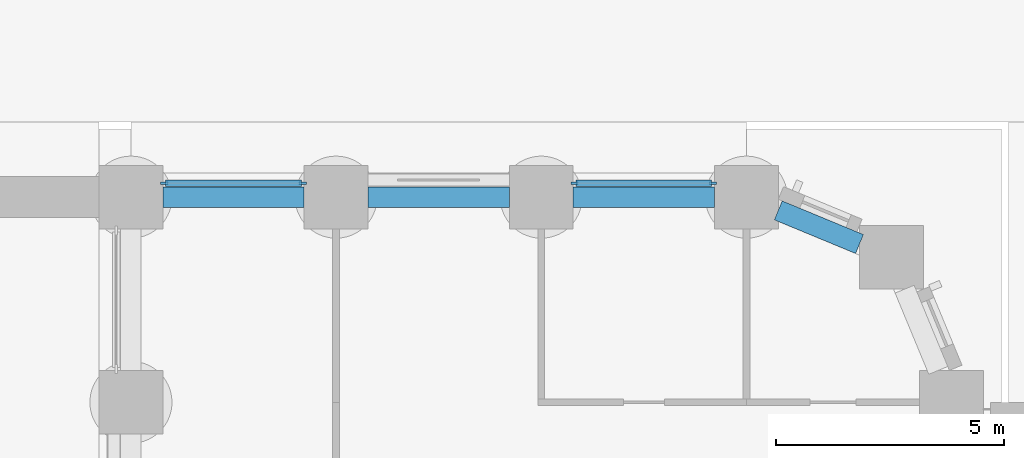
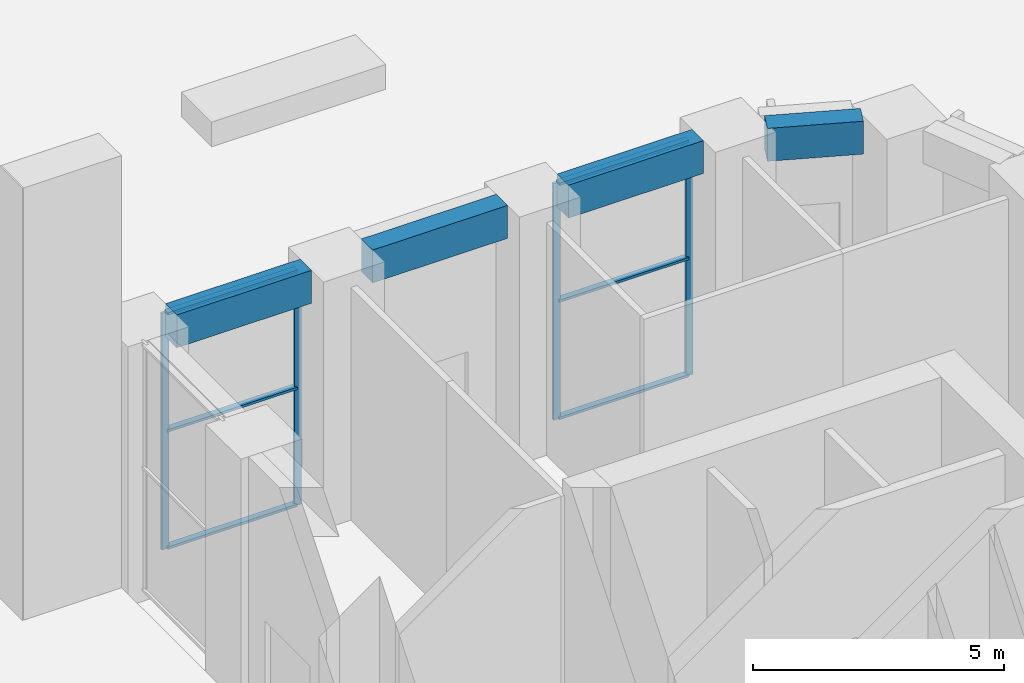
# One storey, part 8 of 31: 10 members, 4 beams, 2 elements without a shape of their own.
"""IFC4 building model written with IfcOpenShell, lengths in metres."""

from ifc_helpers import new_model, si_unit, direction, frame, origin, origin_2d, place, context, subcontext, project, spatial, rectangle, extrude, material, material_profile, profile_set, type_object, element, aggregate, save


model = new_model("IFC4")

# Units and contexts
model_context = context("Model", 3, precision=1e-05, world=origin(), true_north=direction((0.0, 1.0)))
body_context = subcontext(model_context, "Body", "Model", "MODEL_VIEW")
ifc_project = project(units=[si_unit("LENGTHUNIT", "METRE"), si_unit("AREAUNIT", "SQUARE_METRE"), si_unit("VOLUMEUNIT", "CUBIC_METRE"), si_unit("PLANEANGLEUNIT", "RADIAN"), si_unit("MASSUNIT", "GRAM", prefix="KILO")], contexts=[model_context])

# Site, building, storey
site_placement = place(None, origin())
site = spatial("IfcSite", under=ifc_project, at=site_placement, CompositionType="ELEMENT")
building_placement = place(site_placement, origin())
building = spatial("IfcBuilding", under=site, at=building_placement, Name="Girih Gate Residences", CompositionType="ELEMENT")
storey_placement = place(building_placement, origin())
storey = spatial("IfcBuildingStorey", under=building, at=storey_placement, Name="L00", CompositionType="ELEMENT", Elevation=0.0)

# Curtain wall, members
ifc_material_1 = material(Name="Aluminium curtain wall frame", Category="aluminium")
curtain_wall_type = type_object("IfcCurtainWallType", Name="Curtain wall CW-6 street frontage glazing", PredefinedType="NOTDEFINED", material=ifc_material_1)
curtain_wall_1_placement = place(storey_placement, origin())
curtain_wall_1 = element("IfcCurtainWall", 1, at=curtain_wall_1_placement, inside=storey, type_object=curtain_wall_type, Name="CW-6 Street frontage glazing N0450_0495.0", PredefinedType="NOTDEFINED")
ifc_material_profile_1 = material_profile(ifc_material_1, rectangle(XDim=0.06005859375, YDim=0.159912109375, at=origin_2d()))
ifc_profile_set_1 = profile_set([ifc_material_profile_1], Name="Aluminium curtain wall frame")
member_type_1 = type_object("IfcMemberType", Name="Curtain wall mullion 60x160", PredefinedType="MULLION", material=ifc_profile_set_1)
member_1_placement = place(storey_placement, frame((44.27001953125, 49.804931640625, 0.0), z_axis=(0.0, 0.0, 1.0), x_axis=(0.0, -1.0, 0.0)))
member_1 = element("IfcMember", 2, at=member_1_placement, type_object=member_type_1, Name="CW-6 mullion 1", PredefinedType="MULLION", context=body_context, shape_type="SweptSolid", body=[
    extrude(rectangle(XDim=0.06005859375, YDim=0.159912109375, at=origin_2d()), origin(), (0.0, 0.0, 1.0), 5.75),
])
member_2_placement = place(storey_placement, frame((41.22998046875, 49.804931640625, 0.0), z_axis=(0.0, 0.0, 1.0), x_axis=(0.0, -1.0, 0.0)))
member_2 = element("IfcMember", 3, at=member_2_placement, type_object=member_type_1, Name="CW-6 mullion 2", PredefinedType="MULLION", context=body_context, shape_type="SweptSolid", body=[
    extrude(rectangle(XDim=0.06005859375, YDim=0.159912109375, at=origin_2d()), origin(), (0.0, 0.0, 1.0), 5.75),
])

curtain_wall_2_placement = place(storey_placement, origin())
curtain_wall_2 = element("IfcCurtainWall", 4, at=curtain_wall_2_placement, inside=storey, type_object=curtain_wall_type, Name="CW-6 Street frontage glazing N0450_0495.2", PredefinedType="NOTDEFINED")
member_3_placement = place(storey_placement, frame((35.27001953125, 49.804931640625, 0.0), z_axis=(0.0, 0.0, 1.0), x_axis=(0.0, -1.0, 0.0)))
member_3 = element("IfcMember", 5, at=member_3_placement, type_object=member_type_1, Name="CW-6 mullion 1", PredefinedType="MULLION", context=body_context, shape_type="SweptSolid", body=[
    extrude(rectangle(XDim=0.06005859375, YDim=0.159912109375, at=origin_2d()), origin(), (0.0, 0.0, 1.0), 5.75),
])
member_4_placement = place(storey_placement, frame((32.22998046875, 49.804931640625, 0.0), z_axis=(0.0, 0.0, 1.0), x_axis=(0.0, -1.0, 0.0)))
member_4 = element("IfcMember", 6, at=member_4_placement, type_object=member_type_1, Name="CW-6 mullion 2", PredefinedType="MULLION", context=body_context, shape_type="SweptSolid", body=[
    extrude(rectangle(XDim=0.06005859375, YDim=0.159912109375, at=origin_2d()), origin(), (0.0, 0.0, 1.0), 5.75),
])

# Member
ifc_material_profile_2 = material_profile(ifc_material_1, rectangle(XDim=0.139892578125, YDim=0.06005859375, at=origin_2d()))
ifc_profile_set_2 = profile_set([ifc_material_profile_2], Name="Aluminium curtain wall frame")
member_type_2 = type_object("IfcMemberType", Name="Curtain wall transom 60x140", PredefinedType="USERDEFINED", material=ifc_profile_set_2)
member_5_placement = place(storey_placement, frame((44.239990234375, 49.804931640625, 0.030029296875), z_axis=(-1.0, 0.0, 0.0), x_axis=(0.0, -1.0, 0.0)))
member_5 = element("IfcMember", 7, at=member_5_placement, type_object=member_type_2, Name="CW-6 transom 1.1", ObjectType="TRANSOM", PredefinedType="USERDEFINED", context=body_context, shape_type="SweptSolid", body=[
    extrude(rectangle(XDim=0.139892578125, YDim=0.06005859375, at=origin_2d()), origin(), (0.0, 0.0, 1.0), 2.97998046875),
])

member_6_placement = place(storey_placement, frame((44.239990234375, 49.804931640625, 2.875), z_axis=(-1.0, 0.0, 0.0), x_axis=(0.0, -1.0, 0.0)))
member_6 = element("IfcMember", 8, at=member_6_placement, type_object=member_type_2, Name="CW-6 transom 1.2", ObjectType="TRANSOM", PredefinedType="USERDEFINED", context=body_context, shape_type="SweptSolid", body=[
    extrude(rectangle(XDim=0.139892578125, YDim=0.06005859375, at=origin_2d()), origin(), (0.0, 0.0, 1.0), 2.97998046875),
])

member_7_placement = place(storey_placement, frame((44.239990234375, 49.804931640625, 5.719970703125), z_axis=(-1.0, 0.0, 0.0), x_axis=(0.0, -1.0, 0.0)))
member_7 = element("IfcMember", 9, at=member_7_placement, type_object=member_type_2, Name="CW-6 transom 1.3", ObjectType="TRANSOM", PredefinedType="USERDEFINED", context=body_context, shape_type="SweptSolid", body=[
    extrude(rectangle(XDim=0.139892578125, YDim=0.06005859375, at=origin_2d()), origin(), (0.0, 0.0, 1.0), 2.97998046875),
])

aggregate(curtain_wall_1, [member_1, member_2, member_5, member_6, member_7])

member_8_placement = place(storey_placement, frame((35.239990234375, 49.804931640625, 0.030029296875), z_axis=(-1.0, 0.0, 0.0), x_axis=(0.0, -1.0, 0.0)))
member_8 = element("IfcMember", 10, at=member_8_placement, type_object=member_type_2, Name="CW-6 transom 1.1", ObjectType="TRANSOM", PredefinedType="USERDEFINED", context=body_context, shape_type="SweptSolid", body=[
    extrude(rectangle(XDim=0.139892578125, YDim=0.06005859375, at=origin_2d()), origin(), (0.0, 0.0, 1.0), 2.97998046875),
])

member_9_placement = place(storey_placement, frame((35.239990234375, 49.804931640625, 2.875), z_axis=(-1.0, 0.0, 0.0), x_axis=(0.0, -1.0, 0.0)))
member_9 = element("IfcMember", 11, at=member_9_placement, type_object=member_type_2, Name="CW-6 transom 1.2", ObjectType="TRANSOM", PredefinedType="USERDEFINED", context=body_context, shape_type="SweptSolid", body=[
    extrude(rectangle(XDim=0.139892578125, YDim=0.06005859375, at=origin_2d()), origin(), (0.0, 0.0, 1.0), 2.97998046875),
])

member_10_placement = place(storey_placement, frame((35.239990234375, 49.804931640625, 5.719970703125), z_axis=(-1.0, 0.0, 0.0), x_axis=(0.0, -1.0, 0.0)))
member_10 = element("IfcMember", 12, at=member_10_placement, type_object=member_type_2, Name="CW-6 transom 1.3", ObjectType="TRANSOM", PredefinedType="USERDEFINED", context=body_context, shape_type="SweptSolid", body=[
    extrude(rectangle(XDim=0.139892578125, YDim=0.06005859375, at=origin_2d()), origin(), (0.0, 0.0, 1.0), 2.97998046875),
])

aggregate(curtain_wall_2, [member_3, member_4, member_8, member_9, member_10])

# Beams
ifc_material_2 = material(Name="Concrete C60/75", Category="concrete")
ifc_material_profile_3 = material_profile(ifc_material_2, rectangle(XDim=0.449951171875, YDim=0.800048828125, at=origin_2d()))
ifc_profile_set_3 = profile_set([ifc_material_profile_3], Name="Concrete C60/75")
beam_type = type_object("IfcBeamType", Name="Spandrel girder RC 450x800 Concrete C60/75", PredefinedType="BEAM", material=ifc_profile_set_3)
beam_placement = place(storey_placement, frame((47.48193359375, 48.471923828125, 5.60009765625), z_axis=(-0.923894961945, 0.382646180293, 0.0), x_axis=(-0.382646180293, -0.923894961945, 0.0)))
element("IfcBeam", 13, at=beam_placement, inside=storey, type_object=beam_type, Name="Spandrel girder SP-P12LSW-P11L L00", PredefinedType="BEAM", context=body_context, shape_type="SweptSolid", body=[
    extrude(rectangle(XDim=0.449951171875, YDim=0.800048828125, at=origin_2d()), origin(), (0.0, 0.0, 1.0), 1.9287109375),
])
for number, where, z_axis, x_axis, name in (
    (14, (44.300048828125, 49.5, 5.60009765625), (-1.0, 0.0, 0.0), (0.0, -1.0, 0.0), "Spandrel girder SP-P11L-P10L L00"),
    (15, (39.800048828125, 49.5, 5.60009765625), (-1.0, 0.0, 0.0), (0.0, -1.0, 0.0), "Spandrel girder SP-P10L-P9L L00"),
    (16, (35.300048828125, 49.5, 5.60009765625), (-1.0, 0.0, 0.0), (0.0, -1.0, 0.0), "Spandrel girder SP-P9L-P8L L00"),
):
    element("IfcBeam", number, at=place(storey_placement, frame(where, z_axis=z_axis, x_axis=x_axis)), inside=storey, type_object=beam_type, Name=name, PredefinedType="BEAM", context=body_context, shape_type="SweptSolid", body=[
        extrude(rectangle(XDim=0.449951171875, YDim=0.800048828125, at=origin_2d()), origin(), (0.0, 0.0, 1.0), 3.10009765625),
    ])

save(model, "model.ifc")
